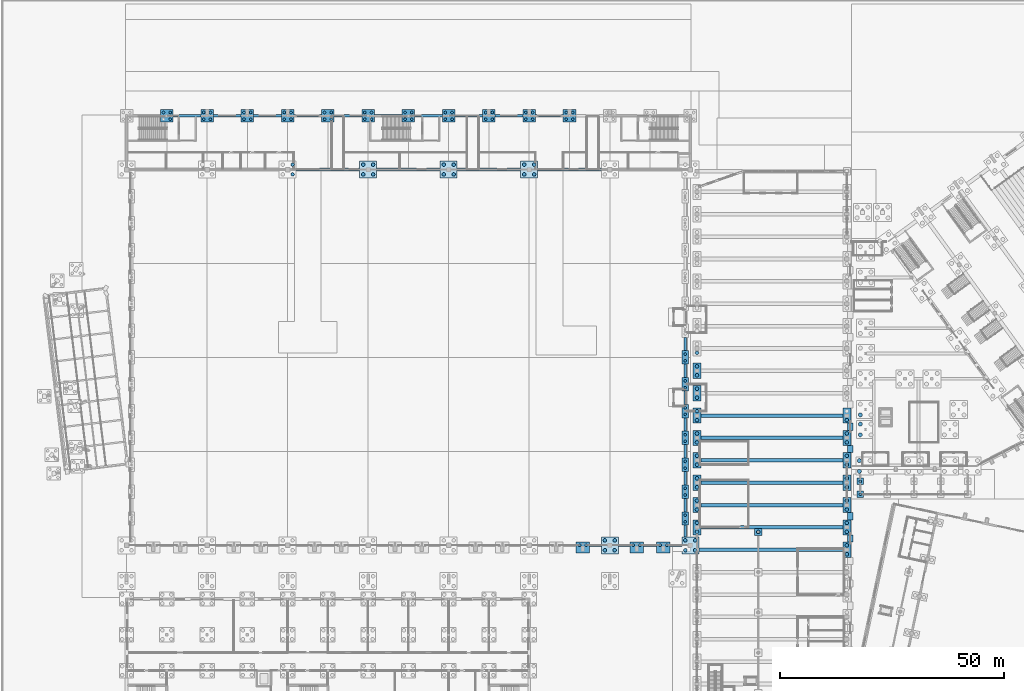
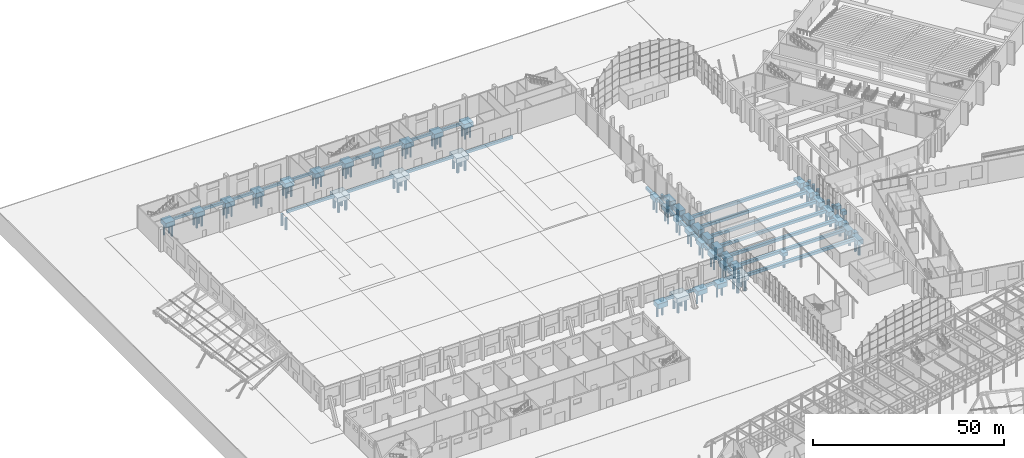
# One storey, part 7 of 239: 123 piles, 81 footings.
"""IFC4 building model written with IfcOpenShell, lengths in metres."""

from ifc_helpers import new_model, si_unit, direction, frame, origin, origin_2d, place, context, subcontext, project, spatial, rectangle, circle, extrude, material, material_profile, profile_set, type_object, element, save


model = new_model("IFC4")

# Units and contexts
model_context = context("Model", 3, precision=1e-05, world=origin(), true_north=direction((0.0, 1.0)))
body_context = subcontext(model_context, "Body", "Model", "MODEL_VIEW")
ifc_project = project(units=[si_unit("LENGTHUNIT", "METRE"), si_unit("AREAUNIT", "SQUARE_METRE"), si_unit("VOLUMEUNIT", "CUBIC_METRE"), si_unit("PLANEANGLEUNIT", "RADIAN"), si_unit("MASSUNIT", "GRAM", prefix="KILO")], contexts=[model_context])

# Site, building, storey
site_placement = place(None, origin())
site = spatial("IfcSite", under=ifc_project, at=site_placement, CompositionType="ELEMENT")
building_placement = place(site_placement, origin())
building = spatial("IfcBuilding", under=site, at=building_placement, Name="Okhra Congress Centre", CompositionType="ELEMENT")
storey_placement = place(building_placement, origin())
storey = spatial("IfcBuildingStorey", under=building, at=storey_placement, Name="L00", CompositionType="ELEMENT", Elevation=0.0)

# Piles
ifc_material = material(Name="Concrete C30/37", Category="concrete")
ifc_material_profile_1 = material_profile(ifc_material, circle(Radius=0.300048828125, at=origin_2d()), Name="D600")
ifc_profile_set_1 = profile_set([ifc_material_profile_1], Name="Concrete C30/37")
pile_type_1 = type_object("IfcPileType", Name="Bored pile D600", PredefinedType="BORED", material=ifc_profile_set_1)
for number, where, z_axis, x_axis, name in (
    (1, (129.25, 132.0, -1.800048828125), (0.0, 0.0, -1.0), (1.0, 0.0, 0.0), "EH.PILE.L00.PP12.1"),
    (2, (130.75, 132.0, -1.800048828125), (0.0, 0.0, -1.0), (1.0, 0.0, 0.0), "EH.PILE.L00.PP12.2"),
    (3, (141.25, 132.0, -1.800048828125), (0.0, 0.0, -1.0), (1.0, 0.0, 0.0), "EH.PILE.L00.PP13.1"),
    (4, (142.75, 132.0, -1.800048828125), (0.0, 0.0, -1.0), (1.0, 0.0, 0.0), "EH.PILE.L00.PP13.2"),
    (5, (147.25, 132.0, -1.800048828125), (0.0, 0.0, -1.0), (1.0, 0.0, 0.0), "EH.PILE.L00.PP14.1"),
    (6, (148.75, 132.0, -1.800048828125), (0.0, 0.0, -1.0), (1.0, 0.0, 0.0), "EH.PILE.L00.PP14.2"),
    (7, (152.85009765625, 137.25, -1.800048828125), (0.0, 0.0, -1.0), (1.0, 0.0, 0.0), "EH.PILE.L00.PP16.1"),
    (8, (152.85009765625, 138.75, -1.800048828125), (0.0, 0.0, -1.0), (1.0, 0.0, 0.0), "EH.PILE.L00.PP16.2"),
    (9, (152.85009765625, 143.25, -1.800048828125), (0.0, 0.0, -1.0), (1.0, 0.0, 0.0), "EH.PILE.L00.PP18.1"),
    (10, (152.85009765625, 144.75, -1.800048828125), (0.0, 0.0, -1.0), (1.0, 0.0, 0.0), "EH.PILE.L00.PP18.2"),
    (11, (152.85009765625, 149.25, -1.800048828125), (0.0, 0.0, -1.0), (1.0, 0.0, 0.0), "EH.PILE.L00.PP20.1"),
    (12, (152.85009765625, 150.75, -1.800048828125), (0.0, 0.0, -1.0), (1.0, 0.0, 0.0), "EH.PILE.L00.PP20.2"),
    (13, (152.85009765625, 155.25, -1.800048828125), (0.0, 0.0, -1.0), (1.0, 0.0, 0.0), "EH.PILE.L00.PP22.1"),
    (14, (152.85009765625, 156.75, -1.800048828125), (0.0, 0.0, -1.0), (1.0, 0.0, 0.0), "EH.PILE.L00.PP22.2"),
    (15, (152.85009765625, 161.25, -1.800048828125), (0.0, 0.0, -1.0), (1.0, 0.0, 0.0), "EH.PILE.L00.PP24.1"),
    (16, (152.85009765625, 162.75, -1.800048828125), (0.0, 0.0, -1.0), (1.0, 0.0, 0.0), "EH.PILE.L00.PP24.2"),
    (17, (152.85009765625, 167.25, -1.800048828125), (0.0, 0.0, -1.0), (1.0, 0.0, 0.0), "EH.PILE.L00.PP26.1"),
    (18, (152.85009765625, 168.75, -1.800048828125), (0.0, 0.0, -1.0), (1.0, 0.0, 0.0), "EH.PILE.L00.PP26.2"),
    (19, (152.85009765625, 173.25, -1.800048828125), (0.0, 0.0, -1.0), (1.0, 0.0, 0.0), "EH.PILE.L00.PP28.1"),
    (20, (152.85009765625, 174.75, -1.800048828125), (0.0, 0.0, -1.0), (1.0, 0.0, 0.0), "EH.PILE.L00.PP28.2"),
    (21, (37.75, 227.25, -1.800048828125), (0.0, 0.0, -1.0), (1.0, 0.0, 0.0), "EH.PILE.L00.KC2.2"),
    (22, (36.25, 228.75, -1.800048828125), (0.0, 0.0, -1.0), (1.0, 0.0, 0.0), "EH.PILE.L00.KC2.3"),
    (23, (37.75, 228.75, -1.800048828125), (0.0, 0.0, -1.0), (1.0, 0.0, 0.0), "EH.PILE.L00.KC2.4"),
    (24, (45.25, 227.25, -1.800048828125), (0.0, 0.0, -1.0), (1.0, 0.0, 0.0), "EH.PILE.L00.KC3.1"),
    (25, (46.75, 227.25, -1.800048828125), (0.0, 0.0, -1.0), (1.0, 0.0, 0.0), "EH.PILE.L00.KC3.2"),
    (26, (45.25, 228.75, -1.800048828125), (0.0, 0.0, -1.0), (1.0, 0.0, 0.0), "EH.PILE.L00.KC3.3"),
    (27, (46.75, 228.75, -1.800048828125), (0.0, 0.0, -1.0), (1.0, 0.0, 0.0), "EH.PILE.L00.KC3.4"),
    (28, (54.25, 227.25, -1.800048828125), (0.0, 0.0, -1.0), (1.0, 0.0, 0.0), "EH.PILE.L00.KC4.1"),
    (29, (55.75, 227.25, -1.800048828125), (0.0, 0.0, -1.0), (1.0, 0.0, 0.0), "EH.PILE.L00.KC4.2"),
    (30, (54.25, 228.75, -1.800048828125), (0.0, 0.0, -1.0), (1.0, 0.0, 0.0), "EH.PILE.L00.KC4.3"),
    (31, (55.75, 228.75, -1.800048828125), (0.0, 0.0, -1.0), (1.0, 0.0, 0.0), "EH.PILE.L00.KC4.4"),
    (32, (63.25, 227.25, -1.800048828125), (0.0, 0.0, -1.0), (1.0, 0.0, 0.0), "EH.PILE.L00.KC5.1"),
    (33, (64.75, 227.25, -1.800048828125), (0.0, 0.0, -1.0), (1.0, 0.0, 0.0), "EH.PILE.L00.KC5.2"),
    (34, (63.25, 228.75, -1.800048828125), (0.0, 0.0, -1.0), (1.0, 0.0, 0.0), "EH.PILE.L00.KC5.3"),
    (35, (64.75, 228.75, -1.800048828125), (0.0, 0.0, -1.0), (1.0, 0.0, 0.0), "EH.PILE.L00.KC5.4"),
    (36, (72.25, 227.25, -1.800048828125), (0.0, 0.0, -1.0), (1.0, 0.0, 0.0), "EH.PILE.L00.KC6.1"),
    (37, (73.75, 227.25, -1.800048828125), (0.0, 0.0, -1.0), (1.0, 0.0, 0.0), "EH.PILE.L00.KC6.2"),
    (38, (72.25, 228.75, -1.800048828125), (0.0, 0.0, -1.0), (1.0, 0.0, 0.0), "EH.PILE.L00.KC6.3"),
    (39, (73.75, 228.75, -1.800048828125), (0.0, 0.0, -1.0), (1.0, 0.0, 0.0), "EH.PILE.L00.KC6.4"),
    (40, (81.25, 227.25, -1.800048828125), (0.0, 0.0, -1.0), (1.0, 0.0, 0.0), "EH.PILE.L00.KC7.1"),
    (41, (82.75, 227.25, -1.800048828125), (0.0, 0.0, -1.0), (1.0, 0.0, 0.0), "EH.PILE.L00.KC7.2"),
    (42, (81.25, 228.75, -1.800048828125), (0.0, 0.0, -1.0), (1.0, 0.0, 0.0), "EH.PILE.L00.KC7.3"),
    (43, (82.75, 228.75, -1.800048828125), (0.0, 0.0, -1.0), (1.0, 0.0, 0.0), "EH.PILE.L00.KC7.4"),
    (44, (90.25, 227.25, -1.800048828125), (0.0, 0.0, -1.0), (1.0, 0.0, 0.0), "EH.PILE.L00.KC8.1"),
    (45, (91.75, 227.25, -1.800048828125), (0.0, 0.0, -1.0), (1.0, 0.0, 0.0), "EH.PILE.L00.KC8.2"),
    (46, (90.25, 228.75, -1.800048828125), (0.0, 0.0, -1.0), (1.0, 0.0, 0.0), "EH.PILE.L00.KC8.3"),
    (47, (91.75, 228.75, -1.800048828125), (0.0, 0.0, -1.0), (1.0, 0.0, 0.0), "EH.PILE.L00.KC8.4"),
    (48, (99.25, 227.25, -1.800048828125), (0.0, 0.0, -1.0), (1.0, 0.0, 0.0), "EH.PILE.L00.KC9.1"),
    (49, (100.75, 227.25, -1.800048828125), (0.0, 0.0, -1.0), (1.0, 0.0, 0.0), "EH.PILE.L00.KC9.2"),
    (50, (99.25, 228.75, -1.800048828125), (0.0, 0.0, -1.0), (1.0, 0.0, 0.0), "EH.PILE.L00.KC9.3"),
    (51, (100.75, 228.75, -1.800048828125), (0.0, 0.0, -1.0), (1.0, 0.0, 0.0), "EH.PILE.L00.KC9.4"),
    (52, (108.25, 227.25, -1.800048828125), (0.0, 0.0, -1.0), (1.0, 0.0, 0.0), "EH.PILE.L00.KC10.1"),
    (53, (109.75, 227.25, -1.800048828125), (0.0, 0.0, -1.0), (1.0, 0.0, 0.0), "EH.PILE.L00.KC10.2"),
    (54, (108.25, 228.75, -1.800048828125), (0.0, 0.0, -1.0), (1.0, 0.0, 0.0), "EH.PILE.L00.KC10.3"),
    (55, (109.75, 228.75, -1.800048828125), (0.0, 0.0, -1.0), (1.0, 0.0, 0.0), "EH.PILE.L00.KC10.4"),
    (56, (117.25, 227.25, -1.800048828125), (0.0, 0.0, -1.0), (1.0, 0.0, 0.0), "EH.PILE.L00.KC11.1"),
    (57, (118.75, 227.25, -1.800048828125), (0.0, 0.0, -1.0), (1.0, 0.0, 0.0), "EH.PILE.L00.KC11.2"),
    (58, (117.25, 228.75, -1.800048828125), (0.0, 0.0, -1.0), (1.0, 0.0, 0.0), "EH.PILE.L00.KC11.3"),
    (59, (118.75, 228.75, -1.800048828125), (0.0, 0.0, -1.0), (1.0, 0.0, 0.0), "EH.PILE.L00.KC11.4"),
    (60, (126.25, 227.25, -1.800048828125), (0.0, 0.0, -1.0), (1.0, 0.0, 0.0), "EH.PILE.L00.KC12.1"),
    (61, (127.75, 227.25, -1.800048828125), (0.0, 0.0, -1.0), (1.0, 0.0, 0.0), "EH.PILE.L00.KC12.2"),
    (62, (126.25, 228.75, -1.800048828125), (0.0, 0.0, -1.0), (1.0, 0.0, 0.0), "EH.PILE.L00.KC12.3"),
    (63, (127.75, 228.75, -1.800048828125), (0.0, 0.0, -1.0), (1.0, 0.0, 0.0), "EH.PILE.L00.KC12.4"),
):
    element("IfcPile", number, at=place(storey_placement, frame(where, z_axis=z_axis, x_axis=x_axis)), inside=storey, type_object=pile_type_1, Name=name, PredefinedType="BORED", context=body_context, shape_type="SweptSolid", body=[
        extrude(circle(Radius=0.300048828125, at=origin_2d()), origin(), (0.0, 0.0, 1.0), 3.699951171875),
    ])
ifc_material_profile_2 = material_profile(ifc_material, circle(Radius=0.300048828125, at=origin_2d()), Name="D600")
ifc_profile_set_2 = profile_set([ifc_material_profile_2], Name="Concrete C30/37")
pile_type_2 = type_object("IfcPileType", Name="Bored pile D600 C30/37", PredefinedType="BORED", material=ifc_profile_set_2)
for number, where, z_axis, x_axis, name in (
    (64, (192.0, 143.39990234375, -1.5), (0.0, 0.0, -1.0), (1.0, 0.0, 0.0), "ST.PILE.L00.canopy-0-0"),
    (65, (192.0, 146.300048828125, -1.5), (0.0, 0.0, -1.0), (1.0, 0.0, 0.0), "ST.PILE.L00.canopy-0-1"),
):
    element("IfcPile", number, at=place(storey_placement, frame(where, z_axis=z_axis, x_axis=x_axis)), inside=storey, type_object=pile_type_2, Name=name, PredefinedType="BORED", context=body_context, shape_type="SweptSolid", body=[
        extrude(circle(Radius=0.300048828125, at=origin_2d()), origin(), (0.0, 0.0, 1.0), 4.0),
    ])
ifc_material_profile_3 = material_profile(ifc_material, circle(Radius=0.39990234375, at=origin_2d()), Name="D800")
ifc_profile_set_3 = profile_set([ifc_material_profile_3], Name="Concrete C30/37")
pile_type_3 = type_object("IfcPileType", Name="Bored pile D800", PredefinedType="BORED", material=ifc_profile_set_3)
for number, where, z_axis, x_axis, name in (
    (66, (65.10009765625, 214.89990234375, -1.800048828125), (0.0, 0.0, -1.0), (1.0, 0.0, 0.0), "EH.PILE.L00.SC6.2"),
    (67, (65.10009765625, 217.10009765625, -1.800048828125), (0.0, 0.0, -1.0), (1.0, 0.0, 0.0), "EH.PILE.L00.SC6.4"),
    (68, (80.89990234375, 214.89990234375, -1.800048828125), (0.0, 0.0, -1.0), (1.0, 0.0, 0.0), "EH.PILE.L00.SC8.1"),
    (69, (83.10009765625, 214.89990234375, -1.800048828125), (0.0, 0.0, -1.0), (1.0, 0.0, 0.0), "EH.PILE.L00.SC8.2"),
    (70, (80.89990234375, 217.10009765625, -1.800048828125), (0.0, 0.0, -1.0), (1.0, 0.0, 0.0), "EH.PILE.L00.SC8.3"),
    (71, (83.10009765625, 217.10009765625, -1.800048828125), (0.0, 0.0, -1.0), (1.0, 0.0, 0.0), "EH.PILE.L00.SC8.4"),
    (72, (98.89990234375, 214.89990234375, -1.800048828125), (0.0, 0.0, -1.0), (1.0, 0.0, 0.0), "EH.PILE.L00.SC10.1"),
    (73, (101.10009765625, 214.89990234375, -1.800048828125), (0.0, 0.0, -1.0), (1.0, 0.0, 0.0), "EH.PILE.L00.SC10.2"),
    (74, (98.89990234375, 217.10009765625, -1.800048828125), (0.0, 0.0, -1.0), (1.0, 0.0, 0.0), "EH.PILE.L00.SC10.3"),
    (75, (101.10009765625, 217.10009765625, -1.800048828125), (0.0, 0.0, -1.0), (1.0, 0.0, 0.0), "EH.PILE.L00.SC10.4"),
    (76, (116.89990234375, 214.89990234375, -1.800048828125), (0.0, 0.0, -1.0), (1.0, 0.0, 0.0), "EH.PILE.L00.SC12.1"),
    (77, (119.10009765625, 214.89990234375, -1.800048828125), (0.0, 0.0, -1.0), (1.0, 0.0, 0.0), "EH.PILE.L00.SC12.2"),
    (78, (116.89990234375, 217.10009765625, -1.800048828125), (0.0, 0.0, -1.0), (1.0, 0.0, 0.0), "EH.PILE.L00.SC12.3"),
    (79, (119.10009765625, 217.10009765625, -1.800048828125), (0.0, 0.0, -1.0), (1.0, 0.0, 0.0), "EH.PILE.L00.SC12.4"),
    (80, (134.89990234375, 130.89990234375, -1.800048828125), (0.0, 0.0, -1.0), (1.0, 0.0, 0.0), "EH.PILE.L00.SC13.1"),
    (81, (137.10009765625, 130.89990234375, -1.800048828125), (0.0, 0.0, -1.0), (1.0, 0.0, 0.0), "EH.PILE.L00.SC13.2"),
    (82, (134.89990234375, 133.10009765625, -1.800048828125), (0.0, 0.0, -1.0), (1.0, 0.0, 0.0), "EH.PILE.L00.SC13.3"),
    (83, (137.10009765625, 133.10009765625, -1.800048828125), (0.0, 0.0, -1.0), (1.0, 0.0, 0.0), "EH.PILE.L00.SC13.4"),
    (84, (152.89990234375, 130.89990234375, -1.800048828125), (0.0, 0.0, -1.0), (1.0, 0.0, 0.0), "EH.PILE.L00.SC15.1"),
    (85, (155.10009765625, 130.89990234375, -1.800048828125), (0.0, 0.0, -1.0), (1.0, 0.0, 0.0), "EH.PILE.L00.SC15.2"),
    (86, (152.89990234375, 133.10009765625, -1.800048828125), (0.0, 0.0, -1.0), (1.0, 0.0, 0.0), "EH.PILE.L00.SC15.3"),
    (87, (155.10009765625, 133.10009765625, -1.800048828125), (0.0, 0.0, -1.0), (1.0, 0.0, 0.0), "EH.PILE.L00.SC15.4"),
):
    element("IfcPile", number, at=place(storey_placement, frame(where, z_axis=z_axis, x_axis=x_axis)), inside=storey, type_object=pile_type_3, Name=name, PredefinedType="BORED", context=body_context, shape_type="SweptSolid", body=[
        extrude(circle(Radius=0.39990234375, at=origin_2d()), origin(), (0.0, 0.0, 1.0), 3.699951171875),
    ])
ifc_material_profile_4 = material_profile(ifc_material, circle(Radius=0.39990234375, at=origin_2d()), Name="D800")
ifc_profile_set_4 = profile_set([ifc_material_profile_4], Name="Concrete C30/37")
pile_type_4 = type_object("IfcPileType", Name="Bored pile D800 C30/37", PredefinedType="BORED", material=ifc_profile_set_4)
for number, where, z_axis, x_axis, name in (
    (88, (189.0, 130.0, -1.800048828125), (0.0, 0.0, -1.0), (1.0, 0.0, 0.0), "WG.PILE.L00.E11-1"),
    (89, (189.0, 132.0, -1.800048828125), (0.0, 0.0, -1.0), (1.0, 0.0, 0.0), "WG.PILE.L00.E11-2"),
    (90, (155.5, 135.0, -1.800048828125), (0.0, 0.0, -1.0), (1.0, 0.0, 0.0), "WG.PILE.L00.W12-1"),
    (91, (155.5, 137.0, -1.800048828125), (0.0, 0.0, -1.0), (1.0, 0.0, 0.0), "WG.PILE.L00.W12-2"),
    (92, (189.0, 135.0, -1.800048828125), (0.0, 0.0, -1.0), (1.0, 0.0, 0.0), "WG.PILE.L00.E12-1"),
    (93, (189.0, 137.0, -1.800048828125), (0.0, 0.0, -1.0), (1.0, 0.0, 0.0), "WG.PILE.L00.E12-2"),
    (94, (155.5, 140.0, -1.800048828125), (0.0, 0.0, -1.0), (1.0, 0.0, 0.0), "WG.PILE.L00.W13-1"),
    (95, (155.5, 142.0, -1.800048828125), (0.0, 0.0, -1.0), (1.0, 0.0, 0.0), "WG.PILE.L00.W13-2"),
    (96, (189.0, 140.0, -1.800048828125), (0.0, 0.0, -1.0), (1.0, 0.0, 0.0), "WG.PILE.L00.E13-1"),
    (97, (189.0, 142.0, -1.800048828125), (0.0, 0.0, -1.0), (1.0, 0.0, 0.0), "WG.PILE.L00.E13-2"),
    (98, (155.5, 145.0, -1.800048828125), (0.0, 0.0, -1.0), (1.0, 0.0, 0.0), "WG.PILE.L00.W14-1"),
    (99, (155.5, 147.0, -1.800048828125), (0.0, 0.0, -1.0), (1.0, 0.0, 0.0), "WG.PILE.L00.W14-2"),
    (100, (189.0, 145.0, -1.800048828125), (0.0, 0.0, -1.0), (1.0, 0.0, 0.0), "WG.PILE.L00.E14-1"),
    (101, (189.0, 147.0, -1.800048828125), (0.0, 0.0, -1.0), (1.0, 0.0, 0.0), "WG.PILE.L00.E14-2"),
    (102, (155.5, 150.0, -1.800048828125), (0.0, 0.0, -1.0), (1.0, 0.0, 0.0), "WG.PILE.L00.W15-1"),
    (103, (155.5, 152.0, -1.800048828125), (0.0, 0.0, -1.0), (1.0, 0.0, 0.0), "WG.PILE.L00.W15-2"),
    (104, (189.0, 150.0, -1.800048828125), (0.0, 0.0, -1.0), (1.0, 0.0, 0.0), "WG.PILE.L00.E15-1"),
    (105, (189.0, 152.0, -1.800048828125), (0.0, 0.0, -1.0), (1.0, 0.0, 0.0), "WG.PILE.L00.E15-2"),
    (106, (155.5, 155.0, -1.800048828125), (0.0, 0.0, -1.0), (1.0, 0.0, 0.0), "WG.PILE.L00.W16-1"),
    (107, (155.5, 157.0, -1.800048828125), (0.0, 0.0, -1.0), (1.0, 0.0, 0.0), "WG.PILE.L00.W16-2"),
    (108, (189.0, 155.0, -1.800048828125), (0.0, 0.0, -1.0), (1.0, 0.0, 0.0), "WG.PILE.L00.E16-1"),
    (109, (189.0, 157.0, -1.800048828125), (0.0, 0.0, -1.0), (1.0, 0.0, 0.0), "WG.PILE.L00.E16-2"),
    (110, (155.5, 160.0, -1.800048828125), (0.0, 0.0, -1.0), (1.0, 0.0, 0.0), "WG.PILE.L00.W17-1"),
    (111, (155.5, 162.0, -1.800048828125), (0.0, 0.0, -1.0), (1.0, 0.0, 0.0), "WG.PILE.L00.W17-2"),
    (112, (189.0, 160.0, -1.800048828125), (0.0, 0.0, -1.0), (1.0, 0.0, 0.0), "WG.PILE.L00.E17-1"),
    (113, (155.5, 165.0, -1.800048828125), (0.0, 0.0, -1.0), (1.0, 0.0, 0.0), "WG.PILE.L00.W18-1"),
    (114, (155.5, 167.0, -1.800048828125), (0.0, 0.0, -1.0), (1.0, 0.0, 0.0), "WG.PILE.L00.W18-2"),
    (115, (155.5, 170.0, -1.800048828125), (0.0, 0.0, -1.0), (1.0, 0.0, 0.0), "WG.PILE.L00.W19-1"),
    (116, (155.5, 172.0, -1.800048828125), (0.0, 0.0, -1.0), (1.0, 0.0, 0.0), "WG.PILE.L00.W19-2"),
    (117, (155.5, 175.0, -1.800048828125), (0.0, 0.0, -1.0), (1.0, 0.0, 0.0), "WG.PILE.L00.W20-1"),
):
    element("IfcPile", number, at=place(storey_placement, frame(where, z_axis=z_axis, x_axis=x_axis)), inside=storey, type_object=pile_type_4, Name=name, PredefinedType="BORED", context=body_context, shape_type="SweptSolid", body=[
        extrude(circle(Radius=0.39990234375, at=origin_2d()), origin(), (0.0, 0.0, 1.0), 3.699951171875),
    ])
pile_placement = place(storey_placement, frame((169.199951171875, 135.0, -1.5), z_axis=(0.0, 0.0, -1.0), x_axis=(1.0, 0.0, 0.0)))
element("IfcPile", 118, at=pile_placement, inside=storey, type_object=pile_type_4, Name="WG.PILE.L00.gal-4", PredefinedType="BORED", context=body_context, shape_type="SweptSolid", body=[
    extrude(circle(Radius=0.39990234375, at=origin_2d()), origin(), (0.0, 0.0, 1.0), 4.0),
])
ifc_material_profile_5 = material_profile(ifc_material, circle(Radius=0.449951171875, at=origin_2d()), Name="D900")
ifc_profile_set_5 = profile_set([ifc_material_profile_5], Name="Concrete C30/37")
pile_type_5 = type_object("IfcPileType", Name="Bored pile D900 C30/37", PredefinedType="BORED", material=ifc_profile_set_5)
for number, where, z_axis, x_axis, name in (
    (119, (191.800048828125, 148.530029296875, -1.699951171875), (0.0, 0.0, -1.0), (1.0, 0.0, 0.0), "Foyer bored pile 1.1"),
    (120, (191.800048828125, 150.929931640625, -1.699951171875), (0.0, 0.0, -1.0), (1.0, 0.0, 0.0), "Foyer bored pile 1.3"),
    (121, (192.0, 156.699951171875, -1.699951171875), (0.0, 0.0, -1.0), (1.0, 0.0, 0.0), "Foyer bored pile 5.1"),
    (122, (192.0, 159.10009765625, -1.699951171875), (0.0, 0.0, -1.0), (1.0, 0.0, 0.0), "Foyer bored pile 5.3"),
    (123, (192.0, 161.14990234375, -1.699951171875), (0.0, 0.0, -1.0), (1.0, 0.0, 0.0), "Foyer bored pile 7.1"),
):
    element("IfcPile", number, at=place(storey_placement, frame(where, z_axis=z_axis, x_axis=x_axis)), inside=storey, type_object=pile_type_5, Name=name, PredefinedType="BORED", context=body_context, shape_type="SweptSolid", body=[
        extrude(circle(Radius=0.449951171875, at=origin_2d()), origin(), (0.0, 0.0, 1.0), 3.800048828125),
    ])

# Footings
footing_type_1 = type_object("IfcFootingType", Name="Ground beam 600x800 C30/37", PredefinedType="FOOTING_BEAM", material=ifc_material)
for number, where, z_axis, x_axis, name in (
    (124, (132.800048828125, 132.0, -1.2001953125), (0.0, 0.0, 1.0), (1.0, 0.0, 0.0), "EH.FTG.L00.GB18"),
    (125, (139.199951171875, 132.0, -1.2001953125), (0.0, 0.0, 1.0), (1.0, 0.0, 0.0), "EH.FTG.L00.GB19"),
):
    element("IfcFooting", number, at=place(storey_placement, frame(where, z_axis=z_axis, x_axis=x_axis)), inside=storey, type_object=footing_type_1, Name=name, PredefinedType="FOOTING_BEAM", context=body_context, shape_type="SweptSolid", body=[
        extrude(rectangle(XDim=2.60009765625, YDim=0.60009765625, at=origin_2d()), origin(), (0.0, 0.0, 1.0), 0.800048828125),
    ])
footing_1_placement = place(storey_placement, frame((145.0, 132.0, -1.2001953125), z_axis=(0.0, 0.0, 1.0), x_axis=(1.0, 0.0, 0.0)))
element("IfcFooting", 126, at=footing_1_placement, inside=storey, type_object=footing_type_1, Name="EH.FTG.L00.GB20", PredefinedType="FOOTING_BEAM", context=body_context, shape_type="SweptSolid", body=[
    extrude(rectangle(XDim=3.0, YDim=0.60009765625, at=origin_2d()), origin(), (0.0, 0.0, 1.0), 0.800048828125),
])
footing_2_placement = place(storey_placement, frame((150.800048828125, 132.0, -1.2001953125), z_axis=(0.0, 0.0, 1.0), x_axis=(1.0, 0.0, 0.0)))
element("IfcFooting", 127, at=footing_2_placement, inside=storey, type_object=footing_type_1, Name="EH.FTG.L00.GB21", PredefinedType="FOOTING_BEAM", context=body_context, shape_type="SweptSolid", body=[
    extrude(rectangle(XDim=2.60009765625, YDim=0.60009765625, at=origin_2d()), origin(), (0.0, 0.0, 1.0), 0.800048828125),
])
for number, where, z_axis, x_axis, name in (
    (128, (73.0, 216.0, -1.2001953125), (0.0, 0.0, 1.0), (1.0, 0.0, 0.0), "EH.FTG.L00.GB24"),
    (129, (91.0, 216.0, -1.2001953125), (0.0, 0.0, 1.0), (1.0, 0.0, 0.0), "EH.FTG.L00.GB25"),
    (130, (109.0, 216.0, -1.2001953125), (0.0, 0.0, 1.0), (1.0, 0.0, 0.0), "EH.FTG.L00.GB26"),
    (131, (127.0, 216.0, -1.2001953125), (0.0, 0.0, 1.0), (1.0, 0.0, 0.0), "EH.FTG.L00.GB27"),
):
    element("IfcFooting", number, at=place(storey_placement, frame(where, z_axis=z_axis, x_axis=x_axis)), inside=storey, type_object=footing_type_1, Name=name, PredefinedType="FOOTING_BEAM", context=body_context, shape_type="SweptSolid", body=[
        extrude(rectangle(XDim=14.199951171875, YDim=0.60009765625, at=origin_2d()), origin(), (0.0, 0.0, 1.0), 0.800048828125),
    ])
footing_3_placement = place(storey_placement, frame((152.85009765625, 135.199951171875, -1.2001953125), z_axis=(0.0, 0.0, 1.0), x_axis=(0.0, 1.0, 0.0)))
element("IfcFooting", 132, at=footing_3_placement, inside=storey, type_object=footing_type_1, Name="EH.FTG.L00.GB43", PredefinedType="FOOTING_BEAM", context=body_context, shape_type="SweptSolid", body=[
    extrude(rectangle(XDim=2.60009765625, YDim=0.60009765625, at=origin_2d()), origin(), (0.0, 0.0, 1.0), 0.800048828125),
])
for number, where, z_axis, x_axis, name in (
    (133, (152.85009765625, 141.0, -1.2001953125), (0.0, 0.0, 1.0), (0.0, 1.0, 0.0), "EH.FTG.L00.GB44"),
    (134, (152.85009765625, 147.0, -1.2001953125), (0.0, 0.0, 1.0), (0.0, 1.0, 0.0), "EH.FTG.L00.GB45"),
    (135, (152.85009765625, 153.0, -1.2001953125), (0.0, 0.0, 1.0), (0.0, 1.0, 0.0), "EH.FTG.L00.GB46"),
    (136, (152.85009765625, 159.0, -1.2001953125), (0.0, 0.0, 1.0), (0.0, 1.0, 0.0), "EH.FTG.L00.GB47"),
    (137, (152.85009765625, 165.0, -1.2001953125), (0.0, 0.0, 1.0), (0.0, 1.0, 0.0), "EH.FTG.L00.GB48"),
    (138, (152.85009765625, 171.0, -1.2001953125), (0.0, 0.0, 1.0), (0.0, 1.0, 0.0), "EH.FTG.L00.GB49"),
    (139, (152.85009765625, 177.0, -1.2001953125), (0.0, 0.0, 1.0), (0.0, 1.0, 0.0), "EH.FTG.L00.GB50"),
):
    element("IfcFooting", number, at=place(storey_placement, frame(where, z_axis=z_axis, x_axis=x_axis)), inside=storey, type_object=footing_type_1, Name=name, PredefinedType="FOOTING_BEAM", context=body_context, shape_type="SweptSolid", body=[
        extrude(rectangle(XDim=3.0, YDim=0.60009765625, at=origin_2d()), origin(), (0.0, 0.0, 1.0), 0.800048828125),
    ])
for number, where, z_axis, x_axis, name in (
    (140, (41.5, 228.0, -1.2001953125), (0.0, 0.0, 1.0), (1.0, 0.0, 0.0), "EH.FTG.L00.GB58"),
    (141, (50.5, 228.0, -1.2001953125), (0.0, 0.0, 1.0), (1.0, 0.0, 0.0), "EH.FTG.L00.GB59"),
    (142, (59.5, 228.0, -1.2001953125), (0.0, 0.0, 1.0), (1.0, 0.0, 0.0), "EH.FTG.L00.GB60"),
    (143, (68.5, 228.0, -1.2001953125), (0.0, 0.0, 1.0), (1.0, 0.0, 0.0), "EH.FTG.L00.GB61"),
    (144, (77.5, 228.0, -1.2001953125), (0.0, 0.0, 1.0), (1.0, 0.0, 0.0), "EH.FTG.L00.GB62"),
    (145, (86.5, 228.0, -1.2001953125), (0.0, 0.0, 1.0), (1.0, 0.0, 0.0), "EH.FTG.L00.GB63"),
    (146, (95.5, 228.0, -1.2001953125), (0.0, 0.0, 1.0), (1.0, 0.0, 0.0), "EH.FTG.L00.GB64"),
    (147, (104.5, 228.0, -1.2001953125), (0.0, 0.0, 1.0), (1.0, 0.0, 0.0), "EH.FTG.L00.GB65"),
    (148, (113.5, 228.0, -1.2001953125), (0.0, 0.0, 1.0), (1.0, 0.0, 0.0), "EH.FTG.L00.GB66"),
    (149, (122.5, 228.0, -1.2001953125), (0.0, 0.0, 1.0), (1.0, 0.0, 0.0), "EH.FTG.L00.GB67"),
):
    element("IfcFooting", number, at=place(storey_placement, frame(where, z_axis=z_axis, x_axis=x_axis)), inside=storey, type_object=footing_type_1, Name=name, PredefinedType="FOOTING_BEAM", context=body_context, shape_type="SweptSolid", body=[
        extrude(rectangle(XDim=6.199951171875, YDim=0.60009765625, at=origin_2d()), origin(), (0.0, 0.0, 1.0), 0.800048828125),
    ])
footing_type_2 = type_object("IfcFootingType", Name="Pile cap 1400x1400x1200 C30/37", PredefinedType="PILE_CAP", material=ifc_material)
for number, where, z_axis, x_axis, name in (
    (150, (192.0, 143.39990234375, -1.60009765625), (0.0, 0.0, 1.0), (1.0, 0.0, 0.0), "ST.FTG.L00.canopy-cap-0-0"),
    (151, (192.0, 146.300048828125, -1.60009765625), (0.0, 0.0, 1.0), (1.0, 0.0, 0.0), "ST.FTG.L00.canopy-cap-0-1"),
):
    element("IfcFooting", number, at=place(storey_placement, frame(where, z_axis=z_axis, x_axis=x_axis)), inside=storey, type_object=footing_type_2, Name=name, PredefinedType="PILE_CAP", context=body_context, shape_type="SweptSolid", body=[
        extrude(rectangle(XDim=1.39990234375, YDim=1.39990234375, at=origin_2d()), origin(), (0.0, 0.0, 1.0), 1.199951171875),
    ])
footing_type_3 = type_object("IfcFootingType", Name="Pile cap 1600x1600x1200 C30/37", PredefinedType="PILE_CAP", material=ifc_material)
footing_4_placement = place(storey_placement, frame((169.199951171875, 135.0, -1.60009765625), z_axis=(0.0, 0.0, 1.0), x_axis=(1.0, 0.0, 0.0)))
element("IfcFooting", 152, at=footing_4_placement, inside=storey, type_object=footing_type_3, Name="WG.FTG.L00.gal-cap-4", PredefinedType="PILE_CAP", context=body_context, shape_type="SweptSolid", body=[
    extrude(rectangle(XDim=1.60009765625, YDim=1.60009765625, at=origin_2d()), origin(), (0.0, 0.0, 1.0), 1.199951171875),
])
footing_type_4 = type_object("IfcFootingType", Name="Pile cap 1800x3400x1500 C30/37", PredefinedType="PILE_CAP", material=ifc_material)
for number, where, z_axis, x_axis, name in (
    (153, (189.0, 131.0, -1.89990234375), (0.0, 0.0, 1.0), (1.0, 0.0, 0.0), "WG.FTG.L00.cap-E11"),
    (154, (155.5, 136.0, -1.89990234375), (0.0, 0.0, 1.0), (1.0, 0.0, 0.0), "WG.FTG.L00.cap-W12"),
    (155, (189.0, 136.0, -1.89990234375), (0.0, 0.0, 1.0), (1.0, 0.0, 0.0), "WG.FTG.L00.cap-E12"),
    (156, (155.5, 141.0, -1.89990234375), (0.0, 0.0, 1.0), (1.0, 0.0, 0.0), "WG.FTG.L00.cap-W13"),
    (157, (189.0, 141.0, -1.89990234375), (0.0, 0.0, 1.0), (1.0, 0.0, 0.0), "WG.FTG.L00.cap-E13"),
    (158, (155.5, 146.0, -1.89990234375), (0.0, 0.0, 1.0), (1.0, 0.0, 0.0), "WG.FTG.L00.cap-W14"),
    (159, (189.0, 146.0, -1.89990234375), (0.0, 0.0, 1.0), (1.0, 0.0, 0.0), "WG.FTG.L00.cap-E14"),
    (160, (155.5, 151.0, -1.89990234375), (0.0, 0.0, 1.0), (1.0, 0.0, 0.0), "WG.FTG.L00.cap-W15"),
    (161, (189.0, 151.0, -1.89990234375), (0.0, 0.0, 1.0), (1.0, 0.0, 0.0), "WG.FTG.L00.cap-E15"),
    (162, (155.5, 156.0, -1.89990234375), (0.0, 0.0, 1.0), (1.0, 0.0, 0.0), "WG.FTG.L00.cap-W16"),
    (163, (189.0, 156.0, -1.89990234375), (0.0, 0.0, 1.0), (1.0, 0.0, 0.0), "WG.FTG.L00.cap-E16"),
    (164, (155.5, 161.0, -1.89990234375), (0.0, 0.0, 1.0), (1.0, 0.0, 0.0), "WG.FTG.L00.cap-W17"),
    (165, (189.0, 161.0, -1.89990234375), (0.0, 0.0, 1.0), (1.0, 0.0, 0.0), "WG.FTG.L00.cap-E17"),
    (166, (155.5, 166.0, -1.89990234375), (0.0, 0.0, 1.0), (1.0, 0.0, 0.0), "WG.FTG.L00.cap-W18"),
    (167, (155.5, 171.0, -1.89990234375), (0.0, 0.0, 1.0), (1.0, 0.0, 0.0), "WG.FTG.L00.cap-W19"),
):
    element("IfcFooting", number, at=place(storey_placement, frame(where, z_axis=z_axis, x_axis=x_axis)), inside=storey, type_object=footing_type_4, Name=name, PredefinedType="PILE_CAP", context=body_context, shape_type="SweptSolid", body=[
        extrude(rectangle(XDim=1.800048828125, YDim=3.39990234375, at=origin_2d()), origin(), (0.0, 0.0, 1.0), 1.5),
    ])
footing_type_5 = type_object("IfcFootingType", Name="Pile cap 2800x2800x1500 C30/37", PredefinedType="PILE_CAP", material=ifc_material)
for number, where, z_axis, x_axis, name in (
    (168, (37.0, 228.0, -1.89990234375), (0.0, 0.0, 1.0), (1.0, 0.0, 0.0), "EH.FTG.L00.KC2"),
    (169, (46.0, 228.0, -1.89990234375), (0.0, 0.0, 1.0), (1.0, 0.0, 0.0), "EH.FTG.L00.KC3"),
    (170, (55.0, 228.0, -1.89990234375), (0.0, 0.0, 1.0), (1.0, 0.0, 0.0), "EH.FTG.L00.KC4"),
    (171, (64.0, 228.0, -1.89990234375), (0.0, 0.0, 1.0), (1.0, 0.0, 0.0), "EH.FTG.L00.KC5"),
    (172, (73.0, 228.0, -1.89990234375), (0.0, 0.0, 1.0), (1.0, 0.0, 0.0), "EH.FTG.L00.KC6"),
    (173, (82.0, 228.0, -1.89990234375), (0.0, 0.0, 1.0), (1.0, 0.0, 0.0), "EH.FTG.L00.KC7"),
    (174, (91.0, 228.0, -1.89990234375), (0.0, 0.0, 1.0), (1.0, 0.0, 0.0), "EH.FTG.L00.KC8"),
    (175, (100.0, 228.0, -1.89990234375), (0.0, 0.0, 1.0), (1.0, 0.0, 0.0), "EH.FTG.L00.KC9"),
    (176, (109.0, 228.0, -1.89990234375), (0.0, 0.0, 1.0), (1.0, 0.0, 0.0), "EH.FTG.L00.KC10"),
    (177, (118.0, 228.0, -1.89990234375), (0.0, 0.0, 1.0), (1.0, 0.0, 0.0), "EH.FTG.L00.KC11"),
    (178, (127.0, 228.0, -1.89990234375), (0.0, 0.0, 1.0), (1.0, 0.0, 0.0), "EH.FTG.L00.KC12"),
):
    element("IfcFooting", number, at=place(storey_placement, frame(where, z_axis=z_axis, x_axis=x_axis)), inside=storey, type_object=footing_type_5, Name=name, PredefinedType="PILE_CAP", context=body_context, shape_type="SweptSolid", body=[
        extrude(rectangle(XDim=2.800048828125, YDim=2.800048828125, at=origin_2d()), origin(), (0.0, 0.0, 1.0), 1.5),
    ])
footing_type_6 = type_object("IfcFootingType", Name="Pile cap 3000x1400x1500 C30/37", PredefinedType="PILE_CAP", material=ifc_material)
for number, where, z_axis, x_axis, name in (
    (179, (152.85009765625, 138.0, -1.89990234375), (0.0, 0.0, 1.0), (0.0, 1.0, 0.0), "EH.FTG.L00.PP16"),
    (180, (152.85009765625, 144.0, -1.89990234375), (0.0, 0.0, 1.0), (0.0, 1.0, 0.0), "EH.FTG.L00.PP18"),
    (181, (152.85009765625, 150.0, -1.89990234375), (0.0, 0.0, 1.0), (0.0, 1.0, 0.0), "EH.FTG.L00.PP20"),
    (182, (152.85009765625, 156.0, -1.89990234375), (0.0, 0.0, 1.0), (0.0, 1.0, 0.0), "EH.FTG.L00.PP22"),
    (183, (152.85009765625, 162.0, -1.89990234375), (0.0, 0.0, 1.0), (0.0, 1.0, 0.0), "EH.FTG.L00.PP24"),
    (184, (152.85009765625, 168.0, -1.89990234375), (0.0, 0.0, 1.0), (0.0, 1.0, 0.0), "EH.FTG.L00.PP26"),
    (185, (152.85009765625, 174.0, -1.89990234375), (0.0, 0.0, 1.0), (0.0, 1.0, 0.0), "EH.FTG.L00.PP28"),
):
    element("IfcFooting", number, at=place(storey_placement, frame(where, z_axis=z_axis, x_axis=x_axis)), inside=storey, type_object=footing_type_6, Name=name, PredefinedType="PILE_CAP", context=body_context, shape_type="SweptSolid", body=[
        extrude(rectangle(XDim=3.0, YDim=1.39990234375, at=origin_2d()), origin(), (0.0, 0.0, 1.0), 1.5),
    ])
footing_type_7 = type_object("IfcFootingType", Name="Pile cap 3000x2400x1500 C30/37", PredefinedType="PILE_CAP", material=ifc_material)
for number, where, z_axis, x_axis, name in (
    (186, (130.0, 131.5, -1.89990234375), (0.0, 0.0, 1.0), (1.0, 0.0, 0.0), "EH.FTG.L00.PP12"),
    (187, (142.0, 131.5, -1.89990234375), (0.0, 0.0, 1.0), (1.0, 0.0, 0.0), "EH.FTG.L00.PP13"),
    (188, (148.0, 131.5, -1.89990234375), (0.0, 0.0, 1.0), (1.0, 0.0, 0.0), "EH.FTG.L00.PP14"),
):
    element("IfcFooting", number, at=place(storey_placement, frame(where, z_axis=z_axis, x_axis=x_axis)), inside=storey, type_object=footing_type_7, Name=name, PredefinedType="PILE_CAP", context=body_context, shape_type="SweptSolid", body=[
        extrude(rectangle(XDim=3.0, YDim=2.39990234375, at=origin_2d()), origin(), (0.0, 0.0, 1.0), 1.5),
    ])
footing_type_8 = type_object("IfcFootingType", Name="Pile cap 3800x3800x1500 C30/37", PredefinedType="PILE_CAP", material=ifc_material)
for number, where, z_axis, x_axis, name in (
    (189, (82.0, 216.0, -1.89990234375), (0.0, 0.0, 1.0), (1.0, 0.0, 0.0), "EH.FTG.L00.SC8"),
    (190, (100.0, 216.0, -1.89990234375), (0.0, 0.0, 1.0), (1.0, 0.0, 0.0), "EH.FTG.L00.SC10"),
    (191, (118.0, 216.0, -1.89990234375), (0.0, 0.0, 1.0), (1.0, 0.0, 0.0), "EH.FTG.L00.SC12"),
    (192, (136.0, 132.0, -1.89990234375), (0.0, 0.0, 1.0), (1.0, 0.0, 0.0), "EH.FTG.L00.SC13"),
    (193, (154.0, 132.0, -1.89990234375), (0.0, 0.0, 1.0), (1.0, 0.0, 0.0), "EH.FTG.L00.SC15"),
):
    element("IfcFooting", number, at=place(storey_placement, frame(where, z_axis=z_axis, x_axis=x_axis)), inside=storey, type_object=footing_type_8, Name=name, PredefinedType="PILE_CAP", context=body_context, shape_type="SweptSolid", body=[
        extrude(rectangle(XDim=3.800048828125, YDim=3.800048828125, at=origin_2d()), origin(), (0.0, 0.0, 1.0), 1.5),
    ])
footing_type_9 = type_object("IfcFootingType", Name="RC ground beam 1200x900 C30/37", PredefinedType="STRIP_FOOTING", material=ifc_material)
for number, where, z_axis, x_axis, name in (
    (194, (189.75, 133.5, -1.300048828125), (0.0, 0.0, 1.0), (1.0, 0.0, 0.0), "WG.FTG.L00.gbeam-07"),
    (195, (189.75, 138.5, -1.300048828125), (0.0, 0.0, 1.0), (1.0, 0.0, 0.0), "WG.FTG.L00.gbeam-08"),
    (196, (189.75, 153.5, -1.300048828125), (0.0, 0.0, 1.0), (1.0, 0.0, 0.0), "WG.FTG.L00.gbeam-09"),
    (197, (189.75, 158.5, -1.300048828125), (0.0, 0.0, 1.0), (1.0, 0.0, 0.0), "WG.FTG.L00.gbeam-10"),
):
    element("IfcFooting", number, at=place(storey_placement, frame(where, z_axis=z_axis, x_axis=x_axis)), inside=storey, type_object=footing_type_9, Name=name, PredefinedType="STRIP_FOOTING", context=body_context, shape_type="SweptSolid", body=[
        extrude(rectangle(XDim=1.199951171875, YDim=1.60009765625, at=origin_2d()), origin(), (0.0, 0.0, 1.0), 0.89990234375),
    ])
footing_type_10 = type_object("IfcFootingType", Name="RC tie beam 800x900 C30/37", PredefinedType="STRIP_FOOTING", material=ifc_material)
footing_5_placement = place(storey_placement, frame((172.0, 131.0, -1.300048828125), z_axis=(0.0, 0.0, 1.0), x_axis=(1.0, 0.0, 0.0)))
element("IfcFooting", 198, at=footing_5_placement, inside=storey, type_object=footing_type_10, Name="WG.FTG.L00.tie-11", PredefinedType="STRIP_FOOTING", context=body_context, shape_type="SweptSolid", body=[
    extrude(rectangle(XDim=32.199951171875, YDim=0.800048828125, at=origin_2d()), origin(), (0.0, 0.0, 1.0), 0.89990234375),
])
for number, where, z_axis, x_axis, name in (
    (199, (172.25, 136.0, -1.300048828125), (0.0, 0.0, 1.0), (1.0, 0.0, 0.0), "WG.FTG.L00.tie-12"),
    (200, (172.25, 141.0, -1.300048828125), (0.0, 0.0, 1.0), (1.0, 0.0, 0.0), "WG.FTG.L00.tie-13"),
    (201, (172.25, 146.0, -1.300048828125), (0.0, 0.0, 1.0), (1.0, 0.0, 0.0), "WG.FTG.L00.tie-14"),
    (202, (172.25, 151.0, -1.300048828125), (0.0, 0.0, 1.0), (1.0, 0.0, 0.0), "WG.FTG.L00.tie-15"),
    (203, (172.25, 156.0, -1.300048828125), (0.0, 0.0, 1.0), (1.0, 0.0, 0.0), "WG.FTG.L00.tie-16"),
    (204, (172.25, 161.0, -1.300048828125), (0.0, 0.0, 1.0), (1.0, 0.0, 0.0), "WG.FTG.L00.tie-17"),
):
    element("IfcFooting", number, at=place(storey_placement, frame(where, z_axis=z_axis, x_axis=x_axis)), inside=storey, type_object=footing_type_10, Name=name, PredefinedType="STRIP_FOOTING", context=body_context, shape_type="SweptSolid", body=[
        extrude(rectangle(XDim=31.699951171875, YDim=0.800048828125, at=origin_2d()), origin(), (0.0, 0.0, 1.0), 0.89990234375),
    ])

save(model, "model.ifc")
